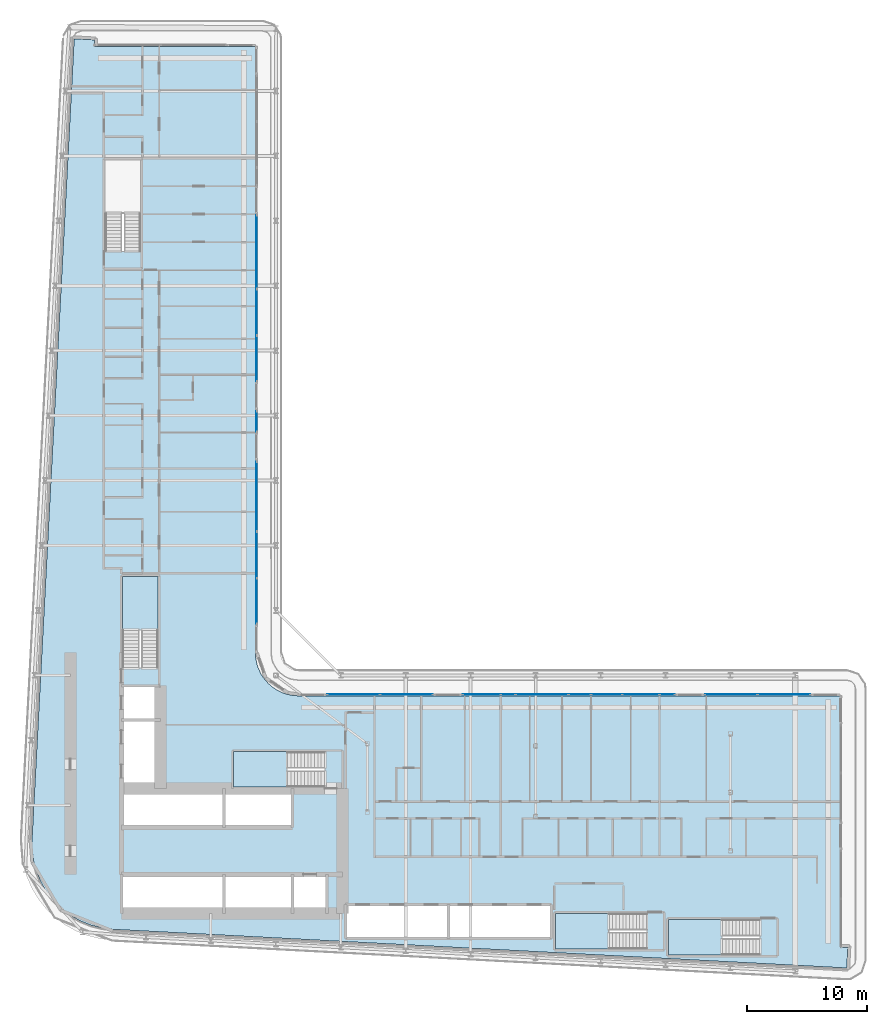
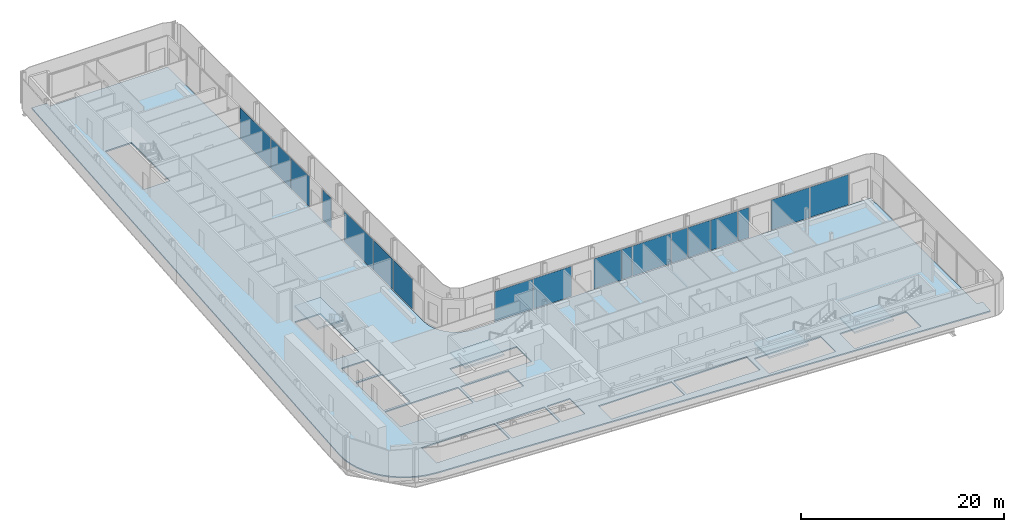
# One storey, part 10 of 28: 18 plates, 5 slabs, 13 elements without a shape of their own.
"""IFC4 building model written with IfcOpenShell, lengths in metres."""

from ifc_helpers import new_model, si_unit, direction, frame, origin, origin_2d, place, context, subcontext, project, spatial, polyline, rectangle, outline, extrude, material, layer, layer_set, type_object, element, aggregate, save


model = new_model("IFC4")

# Units and contexts
model_context = context("Model", 3, precision=1e-05, world=origin(), true_north=direction((0.0, 1.0)))
body_context = subcontext(model_context, "Body", "Model", "MODEL_VIEW")
ifc_project = project(units=[si_unit("LENGTHUNIT", "METRE"), si_unit("AREAUNIT", "SQUARE_METRE"), si_unit("VOLUMEUNIT", "CUBIC_METRE"), si_unit("PLANEANGLEUNIT", "RADIAN"), si_unit("MASSUNIT", "GRAM", prefix="KILO")], contexts=[model_context])

# Site, building, storey
site_placement = place(None, origin())
site = spatial("IfcSite", under=ifc_project, at=site_placement, CompositionType="ELEMENT")
building_placement = place(site_placement, origin())
building = spatial("IfcBuilding", under=site, at=building_placement, Name="Kheshtan School and Residences Tower", CompositionType="ELEMENT")
storey_placement = place(building_placement, frame((0.0, 0.0, 42.199951171875)))
storey = spatial("IfcBuildingStorey", under=building, at=storey_placement, Name="L09", CompositionType="ELEMENT", Elevation=42.199951171875)

# Curtain wall, plate
ifc_material_1 = material(Name="Clear low-e glass in thermally broken aluminium frame", Category="aluminium")
ifc_layer_1 = layer(ifc_material_1, 0.199951171875)
ifc_layer_set_1 = layer_set([ifc_layer_1], Name="Curtain wall CW-L")
curtain_wall_type = type_object("IfcCurtainWallType", Name="Curtain wall CW-L", PredefinedType="NOTDEFINED", material=ifc_layer_set_1)
curtain_wall_1_placement = place(storey_placement, origin())
curtain_wall_1 = element("IfcCurtainWall", 1, at=curtain_wall_1_placement, inside=storey, type_object=curtain_wall_type, Name="Curtain wall CWL8d", PredefinedType="NOTDEFINED")
ifc_layer_2 = layer(ifc_material_1, 0.031982421875)
ifc_layer_set_2 = layer_set([ifc_layer_2], Name="CW-L glass panel")
plate_type = type_object("IfcPlateType", Name="CW-L glass panel", PredefinedType="CURTAIN_PANEL", material=ifc_layer_set_2)
plate_1_placement = place(storey_placement, frame((46.0, 80.80908203125, 0.0), z_axis=(0.0, 0.0, 1.0), x_axis=(0.0, -1.0, 0.0)))
plate_1 = element("IfcPlate", 2, at=plate_1_placement, type_object=plate_type, Name="CWL8d panel 1.1", PredefinedType="CURTAIN_PANEL", context=body_context, shape_type="SweptSolid", body=[
    extrude(rectangle(XDim=6.073974609375, YDim=0.031982421875, at=origin_2d()), origin(), (0.0, 0.0, 1.0), 3.6298828125),
])
aggregate(curtain_wall_1, [plate_1])

# Curtain wall, plates
curtain_wall_2_placement = place(storey_placement, origin())
curtain_wall_2 = element("IfcCurtainWall", 3, at=curtain_wall_2_placement, inside=storey, type_object=curtain_wall_type, Name="Curtain wall CWL8", PredefinedType="NOTDEFINED")
plate_2_placement = place(storey_placement, frame((46.0, 75.803466796875, 0.0), z_axis=(0.0, 0.0, 1.0), x_axis=(0.0, -1.0, 0.0)))
plate_2 = element("IfcPlate", 4, at=plate_2_placement, type_object=plate_type, Name="CWL8 panel 1.1", PredefinedType="CURTAIN_PANEL", context=body_context, shape_type="SweptSolid", body=[
    extrude(rectangle(XDim=3.81689453125, YDim=0.031982421875, at=origin_2d()), origin(), (0.0, 0.0, 1.0), 3.6298828125),
])
plate_3_placement = place(storey_placement, frame((46.0, 71.95654296875, 0.0), z_axis=(0.0, 0.0, 1.0), x_axis=(0.0, -1.0, 0.0)))
plate_3 = element("IfcPlate", 5, at=plate_3_placement, type_object=plate_type, Name="CWL8 panel 2.1", PredefinedType="CURTAIN_PANEL", context=body_context, shape_type="SweptSolid", body=[
    extrude(rectangle(XDim=3.757080078125, YDim=0.031982421875, at=origin_2d()), origin(), (0.0, 0.0, 1.0), 3.6298828125),
])
aggregate(curtain_wall_2, [plate_2, plate_3])

# Curtain wall, plate
curtain_wall_3_placement = place(storey_placement, origin())
curtain_wall_3 = element("IfcCurtainWall", 6, at=curtain_wall_3_placement, inside=storey, type_object=curtain_wall_type, Name="Curtain wall CWL8e", PredefinedType="NOTDEFINED")
plate_4_placement = place(storey_placement, frame((46.0, 66.718017578125, 0.0), z_axis=(0.0, 0.0, 1.0), x_axis=(0.0, -1.0, 0.0)))
plate_4 = element("IfcPlate", 7, at=plate_4_placement, type_object=plate_type, Name="CWL8e panel 1.1", PredefinedType="CURTAIN_PANEL", context=body_context, shape_type="SweptSolid", body=[
    extrude(rectangle(XDim=1.679931640625, YDim=0.031982421875, at=origin_2d()), origin(), (0.0, 0.0, 1.0), 3.6298828125),
])
aggregate(curtain_wall_3, [plate_4])

curtain_wall_4_placement = place(storey_placement, origin())
curtain_wall_4 = element("IfcCurtainWall", 8, at=curtain_wall_4_placement, inside=storey, type_object=curtain_wall_type, Name="Curtain wall CWL8f", PredefinedType="NOTDEFINED")
plate_5_placement = place(storey_placement, frame((46.0, 60.470947265625, 0.0), z_axis=(0.0, 0.0, 1.0), x_axis=(0.0, -1.0, 0.0)))
plate_5 = element("IfcPlate", 9, at=plate_5_placement, type_object=plate_type, Name="CWL8f panel 1.1", PredefinedType="CURTAIN_PANEL", context=body_context, shape_type="SweptSolid", body=[
    extrude(rectangle(XDim=5.77392578125, YDim=0.031982421875, at=origin_2d()), origin(), (0.0, 0.0, 1.0), 3.6298828125),
])
aggregate(curtain_wall_4, [plate_5])

# Curtain wall, plates
curtain_wall_5_placement = place(storey_placement, origin())
curtain_wall_5 = element("IfcCurtainWall", 10, at=curtain_wall_5_placement, inside=storey, type_object=curtain_wall_type, Name="Curtain wall CWL8", PredefinedType="NOTDEFINED")
plate_6_placement = place(storey_placement, frame((46.0, 55.615478515625, 0.0), z_axis=(0.0, 0.0, 1.0), x_axis=(0.0, -1.0, 0.0)))
plate_6 = element("IfcPlate", 11, at=plate_6_placement, type_object=plate_type, Name="CWL8 panel 1.1", PredefinedType="CURTAIN_PANEL", context=body_context, shape_type="SweptSolid", body=[
    extrude(rectangle(XDim=3.81689453125, YDim=0.031982421875, at=origin_2d()), origin(), (0.0, 0.0, 1.0), 3.6298828125),
])
plate_7_placement = place(storey_placement, frame((46.0, 51.7685546875, 0.0), z_axis=(0.0, 0.0, 1.0), x_axis=(0.0, -1.0, 0.0)))
plate_7 = element("IfcPlate", 12, at=plate_7_placement, type_object=plate_type, Name="CWL8 panel 2.1", PredefinedType="CURTAIN_PANEL", context=body_context, shape_type="SweptSolid", body=[
    extrude(rectangle(XDim=3.757080078125, YDim=0.031982421875, at=origin_2d()), origin(), (0.0, 0.0, 1.0), 3.6298828125),
])
aggregate(curtain_wall_5, [plate_6, plate_7])

curtain_wall_6_placement = place(storey_placement, origin())
curtain_wall_6 = element("IfcCurtainWall", 13, at=curtain_wall_6_placement, inside=storey, type_object=curtain_wall_type, Name="Curtain wall CWL12f", PredefinedType="NOTDEFINED")
plate_8_placement = place(storey_placement, frame((54.061767578125, 44.0, 0.0), z_axis=(0.0, 0.0, 1.0), x_axis=(1.0, 0.0, 0.0)))
plate_8 = element("IfcPlate", 14, at=plate_8_placement, type_object=plate_type, Name="CWL12f panel 1.1", PredefinedType="CURTAIN_PANEL", context=body_context, shape_type="SweptSolid", body=[
    extrude(rectangle(XDim=4.34375, YDim=0.031982421875, at=origin_2d()), origin(), (0.0, 0.0, 1.0), 3.6298828125),
])
plate_9_placement = place(storey_placement, frame((58.465576171875, 44.0, 0.0), z_axis=(0.0, 0.0, 1.0), x_axis=(1.0, 0.0, 0.0)))
plate_9 = element("IfcPlate", 15, at=plate_9_placement, type_object=plate_type, Name="CWL12f panel 2.1", PredefinedType="CURTAIN_PANEL", context=body_context, shape_type="SweptSolid", body=[
    extrude(rectangle(XDim=4.34375, YDim=0.031982421875, at=origin_2d()), origin(), (0.0, 0.0, 1.0), 3.6298828125),
])
aggregate(curtain_wall_6, [plate_8, plate_9])

curtain_wall_7_placement = place(storey_placement, origin())
curtain_wall_7 = element("IfcCurtainWall", 16, at=curtain_wall_7_placement, inside=storey, type_object=curtain_wall_type, Name="Curtain wall CWL12g", PredefinedType="NOTDEFINED")
plate_10_placement = place(storey_placement, frame((64.7138671875, 44.0, 0.0), z_axis=(0.0, 0.0, 1.0), x_axis=(1.0, 0.0, 0.0)))
plate_10 = element("IfcPlate", 17, at=plate_10_placement, type_object=plate_type, Name="CWL12g panel 1.1", PredefinedType="CURTAIN_PANEL", context=body_context, shape_type="SweptSolid", body=[
    extrude(rectangle(XDim=3.112548828125, YDim=0.031982421875, at=origin_2d()), origin(), (0.0, 0.0, 1.0), 3.6298828125),
])
plate_11_placement = place(storey_placement, frame((66.91552734375, 44.0, 0.0), z_axis=(0.0, 0.0, 1.0), x_axis=(1.0, 0.0, 0.0)))
plate_11 = element("IfcPlate", 18, at=plate_11_placement, type_object=plate_type, Name="CWL12g panel 2.1", PredefinedType="CURTAIN_PANEL", context=body_context, shape_type="SweptSolid", body=[
    extrude(rectangle(XDim=1.171142578125, YDim=0.031982421875, at=origin_2d()), origin(), (0.0, 0.0, 1.0), 3.6298828125),
])
plate_12_placement = place(storey_placement, frame((69.733154296875, 44.0, 0.0), z_axis=(0.0, 0.0, 1.0), x_axis=(1.0, 0.0, 0.0)))
plate_12 = element("IfcPlate", 19, at=plate_12_placement, type_object=plate_type, Name="CWL12g panel 3.1", PredefinedType="CURTAIN_PANEL", context=body_context, shape_type="SweptSolid", body=[
    extrude(rectangle(XDim=4.34375, YDim=0.031982421875, at=origin_2d()), origin(), (0.0, 0.0, 1.0), 3.6298828125),
])
aggregate(curtain_wall_7, [plate_10, plate_11, plate_12])

curtain_wall_8_placement = place(storey_placement, origin())
curtain_wall_8 = element("IfcCurtainWall", 20, at=curtain_wall_8_placement, inside=storey, type_object=curtain_wall_type, Name="Curtain wall CWL12h", PredefinedType="NOTDEFINED")
plate_13_placement = place(storey_placement, frame((72.867431640625, 44.0, 0.0), z_axis=(0.0, 0.0, 1.0), x_axis=(1.0, 0.0, 0.0)))
plate_13 = element("IfcPlate", 21, at=plate_13_placement, type_object=plate_type, Name="CWL12h panel 1.1", PredefinedType="CURTAIN_PANEL", context=body_context, shape_type="SweptSolid", body=[
    extrude(rectangle(XDim=1.804931640625, YDim=0.031982421875, at=origin_2d()), origin(), (0.0, 0.0, 1.0), 3.6298828125),
])
plate_14_placement = place(storey_placement, frame((75.099365234375, 44.0, 0.0), z_axis=(0.0, 0.0, 1.0), x_axis=(1.0, 0.0, 0.0)))
plate_14 = element("IfcPlate", 22, at=plate_14_placement, type_object=plate_type, Name="CWL12h panel 2.1", PredefinedType="CURTAIN_PANEL", context=body_context, shape_type="SweptSolid", body=[
    extrude(rectangle(XDim=2.538818359375, YDim=0.031982421875, at=origin_2d()), origin(), (0.0, 0.0, 1.0), 3.6298828125),
])
plate_15_placement = place(storey_placement, frame((77.949462890625, 44.0, 0.0), z_axis=(0.0, 0.0, 1.0), x_axis=(1.0, 0.0, 0.0)))
plate_15 = element("IfcPlate", 23, at=plate_15_placement, type_object=plate_type, Name="CWL12h panel 3.1", PredefinedType="CURTAIN_PANEL", context=body_context, shape_type="SweptSolid", body=[
    extrude(rectangle(XDim=3.041259765625, YDim=0.031982421875, at=origin_2d()), origin(), (0.0, 0.0, 1.0), 3.6298828125),
])
plate_16_placement = place(storey_placement, frame((80.1513671875, 44.0, 0.0), z_axis=(0.0, 0.0, 1.0), x_axis=(1.0, 0.0, 0.0)))
plate_16 = element("IfcPlate", 24, at=plate_16_placement, type_object=plate_type, Name="CWL12h panel 4.1", PredefinedType="CURTAIN_PANEL", context=body_context, shape_type="SweptSolid", body=[
    extrude(rectangle(XDim=1.242431640625, YDim=0.031982421875, at=origin_2d()), origin(), (0.0, 0.0, 1.0), 3.6298828125),
])
aggregate(curtain_wall_8, [plate_13, plate_14, plate_15, plate_16])

curtain_wall_9_placement = place(storey_placement, origin())
curtain_wall_9 = element("IfcCurtainWall", 25, at=curtain_wall_9_placement, inside=storey, type_object=curtain_wall_type, Name="Curtain wall CWL12i", PredefinedType="NOTDEFINED")
plate_17_placement = place(storey_placement, frame((85.46435546875, 44.0, 0.0), z_axis=(0.0, 0.0, 1.0), x_axis=(1.0, 0.0, 0.0)))
plate_17 = element("IfcPlate", 26, at=plate_17_placement, type_object=plate_type, Name="CWL12i panel 1.1", PredefinedType="CURTAIN_PANEL", context=body_context, shape_type="SweptSolid", body=[
    extrude(rectangle(XDim=4.34375, YDim=0.031982421875, at=origin_2d()), origin(), (0.0, 0.0, 1.0), 3.6298828125),
])
plate_18_placement = place(storey_placement, frame((89.8681640625, 44.0, 0.0), z_axis=(0.0, 0.0, 1.0), x_axis=(1.0, 0.0, 0.0)))
plate_18 = element("IfcPlate", 27, at=plate_18_placement, type_object=plate_type, Name="CWL12i panel 2.1", PredefinedType="CURTAIN_PANEL", context=body_context, shape_type="SweptSolid", body=[
    extrude(rectangle(XDim=4.34375, YDim=0.031982421875, at=origin_2d()), origin(), (0.0, 0.0, 1.0), 3.6298828125),
])
aggregate(curtain_wall_9, [plate_17, plate_18])

# Slab
ifc_material_2 = material(Name="Concrete C40/50", Category="concrete")
ifc_layer_3 = layer(ifc_material_2, 0.14990234375)
ifc_layer_set_3 = layer_set([ifc_layer_3], Name="Floor slab 150 Concrete C40/50")
slab_type_1 = type_object("IfcSlabType", Name="Floor slab 150 Concrete C40/50", PredefinedType="FLOOR", material=ifc_layer_set_3)
slab_1_placement = place(storey_placement, frame((0.0, 0.0, -0.14990234375)))
element("IfcSlab", 28, at=slab_1_placement, inside=storey, type_object=slab_type_1, Name="Floor slab L09", PredefinedType="FLOOR", context=body_context, shape_type="SweptSolid", body=[
    extrude(outline(polyline([(27.718017578125, 29.200927734375), (27.466064453125, 30.093017578125), (27.466064453125, 30.093994140625), (27.3330078125, 31.013916015625), (27.320068359375, 31.965087890625), (27.320068359375, 31.970947265625), (30.822021484375, 98.5009765625), (30.822998046875, 98.508056640625), (30.825927734375, 98.531005859375), (30.825927734375, 98.531982421875), (30.826904296875, 98.531982421875), (31.422119140625, 98.5), (31.423095703125, 98.5), (31.423095703125, 98.4990234375), (31.423095703125, 98.4951171875), (31.423095703125, 98.493896484375), (31.424072265625, 98.493896484375), (31.424072265625, 98.492919921875), (31.425048828125, 98.492919921875), (31.426025390625, 98.492919921875), (31.426025390625, 98.493896484375), (31.427978515625, 98.49609375), (31.428955078125, 98.4970703125), (31.429931640625, 98.498046875), (31.430908203125, 98.498046875), (31.430908203125, 98.4990234375), (31.431884765625, 98.4990234375), (31.431884765625, 98.5), (31.43505859375, 98.5009765625), (31.43603515625, 98.501953125), (31.43896484375, 98.501953125), (31.43994140625, 98.501953125), (31.43994140625, 98.5029296875), (31.44091796875, 98.5029296875), (31.446044921875, 98.5029296875), (32.5009765625, 98.447021484375), (32.50390625, 98.447021484375), (32.5048828125, 98.447021484375), (32.5048828125, 98.446044921875), (32.506103515625, 98.446044921875), (32.510009765625, 98.446044921875), (32.510009765625, 98.445068359375), (32.510986328125, 98.445068359375), (32.510986328125, 98.444091796875), (32.511962890625, 98.444091796875), (32.511962890625, 98.443115234375), (32.512939453125, 98.443115234375), (32.513916015625, 98.443115234375), (32.513916015625, 98.44189453125), (32.514892578125, 98.44189453125), (32.51611328125, 98.44189453125), (32.51904296875, 98.43896484375), (32.51904296875, 98.43798828125), (32.51904296875, 98.43701171875), (32.52001953125, 98.43701171875), (32.52001953125, 98.43603515625), (32.52099609375, 98.43603515625), (32.52099609375, 98.43408203125), (32.52099609375, 98.43310546875), (32.52197265625, 98.43310546875), (32.52197265625, 98.431884765625), (32.52294921875, 98.431884765625), (32.52294921875, 98.430908203125), (32.52294921875, 98.428955078125), (32.52294921875, 98.427978515625), (32.52392578125, 98.427978515625), (32.52392578125, 98.427001953125), (32.52392578125, 98.422119140625), (32.4970703125, 97.9208984375), (32.4970703125, 97.91796875), (32.4970703125, 97.9169921875), (32.49609375, 97.9169921875), (32.49609375, 97.916015625), (32.49609375, 97.912109375), (32.4951171875, 97.910888671875), (32.4951171875, 97.909912109375), (32.493896484375, 97.909912109375), (32.493896484375, 97.908935546875), (32.492919921875, 97.908935546875), (32.492919921875, 97.907958984375), (32.489013671875, 97.904052734375), (32.488037109375, 97.904052734375), (32.488037109375, 97.903076171875), (32.488037109375, 97.902099609375), (32.488037109375, 97.90087890625), (32.489013671875, 97.90087890625), (32.489013671875, 97.89990234375), (32.489990234375, 97.89990234375), (45.85498046875, 97.89990234375), (45.864990234375, 97.89794921875), (45.865966796875, 97.89794921875), (45.868896484375, 97.89599609375), (45.8740234375, 97.89404296875), (45.8779296875, 97.89208984375), (45.881103515625, 97.889892578125), (45.881103515625, 97.888916015625), (45.882080078125, 97.888916015625), (45.882080078125, 97.887939453125), (45.883056640625, 97.887939453125), (45.884033203125, 97.885009765625), (45.885009765625, 97.885009765625), (45.885009765625, 97.884033203125), (45.887939453125, 97.883056640625), (45.887939453125, 97.882080078125), (45.888916015625, 97.882080078125), (45.888916015625, 97.881103515625), (45.889892578125, 97.881103515625), (45.89208984375, 97.8779296875), (45.89404296875, 97.8740234375), (45.89599609375, 97.868896484375), (45.89794921875, 97.865966796875), (45.89794921875, 97.864990234375), (45.89990234375, 97.85498046875), (45.89990234375, 47.429931640625), (45.927001953125, 47.030029296875), (46.01806640625, 46.570068359375), (46.01806640625, 46.569091796875), (46.169921875, 46.1201171875), (46.37890625, 45.697021484375), (46.638916015625, 45.30810546875), (46.949951171875, 44.950927734375), (46.950927734375, 44.949951171875), (47.30810546875, 44.638916015625), (47.697021484375, 44.37890625), (48.1201171875, 44.169921875), (48.569091796875, 44.01806640625), (48.570068359375, 44.01806640625), (49.030029296875, 43.927001953125), (49.429931640625, 43.89990234375), (94.455078125, 43.89990234375), (94.4599609375, 43.89892578125), (94.465087890625, 43.89794921875), (94.466064453125, 43.89794921875), (94.468994140625, 43.89599609375), (94.47412109375, 43.89404296875), (94.47802734375, 43.89208984375), (94.48095703125, 43.889892578125), (94.48095703125, 43.888916015625), (94.48193359375, 43.888916015625), (94.48193359375, 43.887939453125), (94.48291015625, 43.887939453125), (94.48388671875, 43.885009765625), (94.485107421875, 43.885009765625), (94.485107421875, 43.884033203125), (94.488037109375, 43.883056640625), (94.488037109375, 43.882080078125), (94.489013671875, 43.882080078125), (94.489013671875, 43.881103515625), (94.489990234375, 43.881103515625), (94.491943359375, 43.8779296875), (94.493896484375, 43.8740234375), (94.49609375, 43.868896484375), (94.498046875, 43.865966796875), (94.498046875, 43.864990234375), (94.4990234375, 43.860107421875), (94.5, 43.85498046875), (94.5, 22.992919921875), (94.5, 22.991943359375), (94.5009765625, 22.991943359375), (94.5009765625, 22.990966796875), (94.501953125, 22.990966796875), (94.5029296875, 22.990966796875), (94.5029296875, 22.991943359375), (94.5048828125, 22.993896484375), (94.506103515625, 22.9951171875), (94.507080078125, 22.99609375), (94.508056640625, 22.99609375), (94.508056640625, 22.9970703125), (94.509033203125, 22.9970703125), (94.509033203125, 22.998046875), (94.511962890625, 22.9990234375), (94.512939453125, 23.0), (94.51611328125, 23.0), (94.51708984375, 23.0), (94.51708984375, 23.0009765625), (94.51806640625, 23.0009765625), (94.52294921875, 23.0009765625), (95.137939453125, 22.968017578125), (95.14111328125, 22.968017578125), (95.14208984375, 22.968017578125), (95.14208984375, 22.967041015625), (95.14306640625, 22.967041015625), (95.14697265625, 22.967041015625), (95.14697265625, 22.966064453125), (95.14794921875, 22.966064453125), (95.14794921875, 22.965087890625), (95.14892578125, 22.965087890625), (95.14892578125, 22.964111328125), (95.14990234375, 22.964111328125), (95.15087890625, 22.964111328125), (95.15087890625, 22.962890625), (95.152099609375, 22.962890625), (95.153076171875, 22.962890625), (95.153076171875, 22.9619140625), (95.155029296875, 22.9599609375), (95.156005859375, 22.9599609375), (95.156005859375, 22.958984375), (95.156005859375, 22.9580078125), (95.156982421875, 22.9580078125), (95.156982421875, 22.95703125), (95.157958984375, 22.95703125), (95.157958984375, 22.955078125), (95.157958984375, 22.9541015625), (95.158935546875, 22.9541015625), (95.158935546875, 22.952880859375), (95.159912109375, 22.952880859375), (95.159912109375, 22.951904296875), (95.159912109375, 22.949951171875), (95.159912109375, 22.948974609375), (95.160888671875, 22.948974609375), (95.160888671875, 22.947998046875), (95.160888671875, 22.943115234375), (95.10498046875, 21.885986328125), (95.10498046875, 21.883056640625), (95.10498046875, 21.882080078125), (95.10400390625, 21.882080078125), (95.10400390625, 21.881103515625), (95.10400390625, 21.876953125), (95.10302734375, 21.8759765625), (95.10302734375, 21.875), (95.10205078125, 21.875), (95.10205078125, 21.8740234375), (95.10107421875, 21.8740234375), (95.10107421875, 21.873046875), (95.10009765625, 21.8720703125), (95.097900390625, 21.8701171875), (95.096923828125, 21.868896484375), (95.095947265625, 21.868896484375), (95.095947265625, 21.867919921875), (95.095947265625, 21.866943359375), (95.095947265625, 21.865966796875), (95.096923828125, 21.865966796875), (95.096923828125, 21.864990234375), (95.097900390625, 21.864990234375), (95.09912109375, 21.864990234375), (95.10009765625, 21.864990234375), (95.10009765625, 21.864013671875), (95.068115234375, 21.26904296875), (95.068115234375, 21.26806640625), (95.06689453125, 21.26806640625), (95.04296875, 21.26708984375), (95.0380859375, 21.26708984375), (34.056884765625, 24.47802734375), (33.114990234375, 24.590087890625), (32.215087890625, 24.819091796875), (32.214111328125, 24.819091796875), (31.35205078125, 25.1630859375), (30.541015625, 25.616943359375), (29.799072265625, 26.1708984375), (29.799072265625, 26.172119140625), (29.798095703125, 26.172119140625), (29.134033203125, 26.820068359375), (29.134033203125, 26.821044921875), (29.133056640625, 26.821044921875), (28.55908203125, 27.550048828125), (28.0849609375, 28.345947265625), (27.718017578125, 29.200927734375)]), holes=[polyline([(94.5, 21.87109375), (94.5, 21.866943359375), (94.5, 21.865966796875), (94.5009765625, 21.865966796875), (94.5009765625, 21.864990234375), (94.501953125, 21.864990234375), (94.506103515625, 21.864990234375), (94.507080078125, 21.864990234375), (94.507080078125, 21.865966796875), (94.508056640625, 21.865966796875), (94.508056640625, 21.866943359375), (94.508056640625, 21.867919921875), (94.507080078125, 21.867919921875), (94.506103515625, 21.868896484375), (94.5048828125, 21.8701171875), (94.50390625, 21.87109375), (94.5029296875, 21.8720703125), (94.5029296875, 21.873046875), (94.501953125, 21.873046875), (94.5009765625, 21.873046875), (94.5009765625, 21.8720703125), (94.5, 21.8720703125), (94.5, 21.87109375)]), polyline([(31.423095703125, 97.906005859375), (31.423095703125, 97.902099609375), (31.423095703125, 97.90087890625), (31.424072265625, 97.90087890625), (31.424072265625, 97.89990234375), (31.425048828125, 97.89990234375), (31.428955078125, 97.89990234375), (31.429931640625, 97.89990234375), (31.429931640625, 97.90087890625), (31.430908203125, 97.90087890625), (31.430908203125, 97.902099609375), (31.430908203125, 97.903076171875), (31.429931640625, 97.903076171875), (31.428955078125, 97.904052734375), (31.427978515625, 97.905029296875), (31.427001953125, 97.906005859375), (31.426025390625, 97.906982421875), (31.426025390625, 97.907958984375), (31.425048828125, 97.907958984375), (31.424072265625, 97.907958984375), (31.424072265625, 97.906982421875), (31.423095703125, 97.906982421875), (31.423095703125, 97.906005859375)]), polyline([(34.875, 28.925048828125), (34.875, 25.925048828125), (43.175048828125, 25.925048828125), (43.175048828125, 28.925048828125), (34.875, 28.925048828125)]), polyline([(43.425048828125, 25.925048828125), (48.875, 25.925048828125), (48.875, 28.925048828125), (43.425048828125, 28.925048828125), (43.425048828125, 25.925048828125)]), polyline([(43.175048828125, 36.074951171875), (34.875, 36.074951171875), (34.875, 33.074951171875), (43.175048828125, 33.074951171875), (43.175048828125, 36.074951171875)]), polyline([(34.875, 41.77490234375), (34.875, 36.324951171875), (37.875, 36.324951171875), (37.875, 41.77490234375), (34.875, 41.77490234375)]), polyline([(34.875, 44.625), (34.875, 42.02490234375), (37.875, 42.02490234375), (37.875, 44.625), (34.875, 44.625)]), polyline([(37.800048828125, 46.25), (37.800048828125, 53.81005859375), (34.85009765625, 53.81005859375), (34.85009765625, 46.260009765625), (36.25, 46.260009765625), (36.25, 46.25), (37.800048828125, 46.25)]), polyline([(33.39990234375, 88.4599609375), (33.39990234375, 80.909912109375), (34.800048828125, 80.909912109375), (34.800048828125, 80.89990234375), (36.35009765625, 80.89990234375), (36.35009765625, 88.4599609375), (33.39990234375, 88.4599609375)]), polyline([(87.81005859375, 22.35009765625), (87.81005859375, 23.75), (87.820068359375, 23.75), (87.820068359375, 25.300048828125), (80.260009765625, 25.300048828125), (80.260009765625, 22.35009765625), (87.81005859375, 22.35009765625)]), polyline([(70.85009765625, 22.85009765625), (78.39990234375, 22.85009765625), (78.39990234375, 24.25), (78.409912109375, 24.25), (78.409912109375, 25.800048828125), (70.85009765625, 25.800048828125), (70.85009765625, 22.85009765625)]), polyline([(61.824951171875, 26.425048828125), (53.52490234375, 26.425048828125), (53.52490234375, 23.824951171875), (61.824951171875, 23.824951171875), (61.824951171875, 26.425048828125)]), polyline([(62.074951171875, 23.824951171875), (70.375, 23.824951171875), (70.375, 26.425048828125), (62.074951171875, 26.425048828125), (62.074951171875, 23.824951171875)]), polyline([(49.125, 28.925048828125), (49.125, 25.925048828125), (51.72509765625, 25.925048828125), (51.72509765625, 28.925048828125), (49.125, 28.925048828125)]), polyline([(43.425048828125, 33.074951171875), (48.875, 33.074951171875), (48.875, 36.074951171875), (43.425048828125, 36.074951171875), (43.425048828125, 33.074951171875)]), polyline([(51.64990234375, 39.25), (44.090087890625, 39.25), (44.090087890625, 36.300048828125), (51.639892578125, 36.300048828125), (51.639892578125, 37.699951171875), (51.64990234375, 37.699951171875), (51.64990234375, 39.25)])]), origin(), (0.0, 0.0, 1.0), 0.14990234375),
])

# Stair, slab
stair_type = type_object("IfcStairType", Name="Exit stair, half-turn", PredefinedType="HALF_TURN_STAIR", material=ifc_material_2)
stair_1_placement = place(storey_placement, origin())
stair_1 = element("IfcStair", 29, at=stair_1_placement, inside=storey, type_object=stair_type, Name="L09 Protected Exit Stair ST1", PredefinedType="HALF_TURN_STAIR")
ifc_layer_4 = layer(ifc_material_2, 0.199951171875)
ifc_layer_set_4 = layer_set([ifc_layer_4], Name="Stair landing 200 Concrete C40/50")
slab_type_2 = type_object("IfcSlabType", Name="Stair landing 200 Concrete C40/50", PredefinedType="LANDING", material=ifc_layer_set_4)
slab_2_placement = place(storey_placement, frame((0.0, 0.0, 1.75)))
slab_2 = element("IfcSlab", 30, at=slab_2_placement, type_object=slab_type_2, Name="ST1 landing 1", PredefinedType="LANDING", context=body_context, shape_type="SweptSolid", body=[
    extrude(outline(polyline([(48.570068359375, 39.25), (44.090087890625, 39.25), (44.090087890625, 36.300048828125), (48.570068359375, 36.300048828125), (48.570068359375, 39.25)])), origin(), (0.0, 0.0, 1.0), 0.199951171875),
])
aggregate(stair_1, [slab_2])

stair_2_placement = place(storey_placement, origin())
stair_2 = element("IfcStair", 31, at=stair_2_placement, inside=storey, type_object=stair_type, Name="L09 Protected Exit Stair ST2", PredefinedType="HALF_TURN_STAIR")
slab_3_placement = place(storey_placement, frame((0.0, 0.0, 1.75)))
slab_3 = element("IfcSlab", 32, at=slab_3_placement, type_object=slab_type_2, Name="ST2 landing 1", PredefinedType="LANDING", context=body_context, shape_type="SweptSolid", body=[
    extrude(outline(polyline([(37.800048828125, 49.330078125), (37.800048828125, 53.81005859375), (34.85009765625, 53.81005859375), (34.85009765625, 49.330078125), (37.800048828125, 49.330078125)])), origin(), (0.0, 0.0, 1.0), 0.199951171875),
])
aggregate(stair_2, [slab_3])

stair_3_placement = place(storey_placement, origin())
stair_3 = element("IfcStair", 33, at=stair_3_placement, inside=storey, type_object=stair_type, Name="L09 Protected Exit Stair ST4", PredefinedType="HALF_TURN_STAIR")
slab_4_placement = place(storey_placement, frame((0.0, 0.0, 1.75)))
slab_4 = element("IfcSlab", 34, at=slab_4_placement, type_object=slab_type_2, Name="ST4 landing 1", PredefinedType="LANDING", context=body_context, shape_type="SweptSolid", body=[
    extrude(outline(polyline([(84.739990234375, 25.300048828125), (80.260009765625, 25.300048828125), (80.260009765625, 22.35009765625), (84.739990234375, 22.35009765625), (84.739990234375, 25.300048828125)])), origin(), (0.0, 0.0, 1.0), 0.199951171875),
])
aggregate(stair_3, [slab_4])

stair_4_placement = place(storey_placement, origin())
stair_4 = element("IfcStair", 35, at=stair_4_placement, inside=storey, type_object=stair_type, Name="L09 Protected Exit Stair ST5", PredefinedType="HALF_TURN_STAIR")
slab_5_placement = place(storey_placement, frame((0.0, 0.0, 1.75)))
slab_5 = element("IfcSlab", 36, at=slab_5_placement, type_object=slab_type_2, Name="ST5 landing 1", PredefinedType="LANDING", context=body_context, shape_type="SweptSolid", body=[
    extrude(outline(polyline([(75.330078125, 25.800048828125), (70.85009765625, 25.800048828125), (70.85009765625, 22.85009765625), (75.330078125, 22.85009765625), (75.330078125, 25.800048828125)])), origin(), (0.0, 0.0, 1.0), 0.199951171875),
])
aggregate(stair_4, [slab_5])

save(model, "model.ifc")
